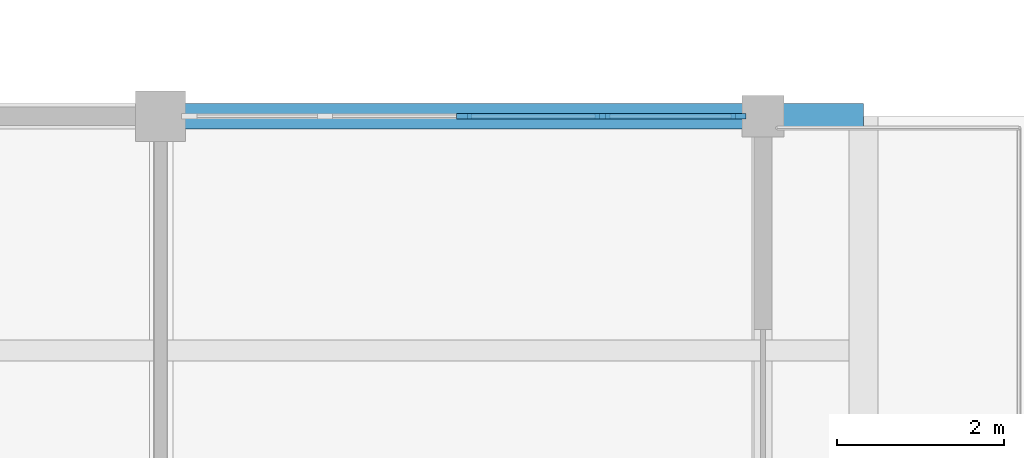
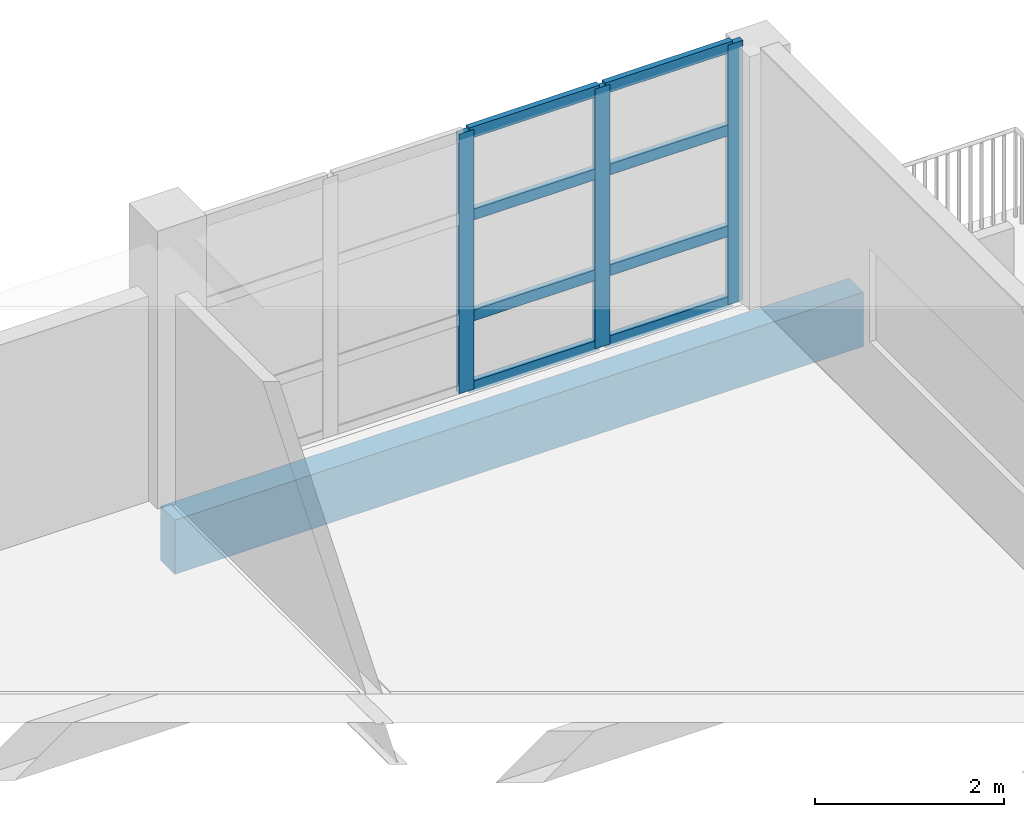
# One storey, part 14 of 33: 11 members, 1 beam, 1 element without a shape of its own.
"""IFC4 building model written with IfcOpenShell, lengths in metres."""

from ifc_helpers import new_model, si_unit, direction, frame, origin, origin_2d, place, context, subcontext, project, spatial, rectangle, extrude, material, material_profile, profile_set, type_object, element, aggregate, save


model = new_model("IFC4")

# Units and contexts
model_context = context("Model", 3, precision=1e-05, world=origin(), true_north=direction((0.0, 1.0)))
body_context = subcontext(model_context, "Body", "Model", "MODEL_VIEW")
ifc_project = project(units=[si_unit("LENGTHUNIT", "METRE"), si_unit("AREAUNIT", "SQUARE_METRE"), si_unit("VOLUMEUNIT", "CUBIC_METRE"), si_unit("PLANEANGLEUNIT", "RADIAN"), si_unit("MASSUNIT", "GRAM", prefix="KILO")], contexts=[model_context])

# Site, building, storey
site_placement = place(None, origin())
site = spatial("IfcSite", under=ifc_project, at=site_placement, CompositionType="ELEMENT")
building_placement = place(site_placement, origin())
building = spatial("IfcBuilding", under=site, at=building_placement, Name="Vanh Quang Courtyard School", CompositionType="ELEMENT")
storey_placement = place(building_placement, frame((0.0, 0.0, 18.60009765625)))
storey = spatial("IfcBuildingStorey", under=building, at=storey_placement, Name="L05", CompositionType="ELEMENT", Elevation=18.60009765625)

# Beam
ifc_material_1 = material(Name="Concrete C35/45", Category="concrete")
ifc_material_profile_1 = material_profile(ifc_material_1, rectangle(XDim=0.300048828125, YDim=0.699951171875, at=origin_2d()), Name="RC-SP 300x700")
ifc_profile_set_1 = profile_set([ifc_material_profile_1], Name="Concrete C35/45")
beam_type = type_object("IfcBeamType", Name="BM-SP-300x700", PredefinedType="SPANDREL", material=ifc_profile_set_1)
beam_placement = place(storey_placement, frame((102.60009765625, 96.60009765625, -0.670166015625), z_axis=(1.0, 0.0, 0.0), x_axis=(0.0, 1.0, 0.0)))
element("IfcBeam", 1, at=beam_placement, inside=storey, type_object=beam_type, Name="Beam BS-01 (L05)", PredefinedType="SPANDREL", context=body_context, shape_type="SweptSolid", body=[
    extrude(rectangle(XDim=0.300048828125, YDim=0.699951171875, at=origin_2d()), origin(), (0.0, 0.0, 1.0), 8.39990234375),
])

# Curtain wall, members
ifc_material_2 = material(Name="Thermally broken aluminium unitised curtain wall", Category="aluminium")
curtain_wall_type = type_object("IfcCurtainWallType", Name="CW-SYS-68", PredefinedType="NOTDEFINED", material=ifc_material_2)
curtain_wall_placement = place(storey_placement, origin())
curtain_wall = element("IfcCurtainWall", 2, at=curtain_wall_placement, inside=storey, type_object=curtain_wall_type, Name="Curtain Wall CW-68 (L05)", PredefinedType="NOTDEFINED")
ifc_material_3 = material(Name="Anodised aluminium 6063-T6", Category="aluminium")
ifc_material_profile_2 = material_profile(ifc_material_3, rectangle(XDim=0.070068359375, YDim=0.179931640625, at=origin_2d()), Name="ALU-MUL 70x180")
ifc_profile_set_2 = profile_set([ifc_material_profile_2], Name="Anodised aluminium 6063-T6")
member_type_1 = type_object("IfcMemberType", Name="CW-MUL-70x180", PredefinedType="MULLION", material=ifc_profile_set_2)
member_1_placement = place(storey_placement, frame((106.22509765625, 96.60009765625, 0.0), z_axis=(0.0, 0.0, 1.0), x_axis=(0.0, 1.0, 0.0)))
member_1 = element("IfcMember", 3, at=member_1_placement, type_object=member_type_1, Name="CW-68 mullion 3", PredefinedType="MULLION", context=body_context, shape_type="SweptSolid", body=[
    extrude(rectangle(XDim=0.070068359375, YDim=0.179931640625, at=origin_2d()), origin(), (0.0, 0.0, 1.0), 3.349853515625),
])
member_2_placement = place(storey_placement, frame((107.883544921875, 96.60009765625, 0.0), z_axis=(0.0, 0.0, 1.0), x_axis=(0.0, 1.0, 0.0)))
member_2 = element("IfcMember", 4, at=member_2_placement, type_object=member_type_1, Name="CW-68 mullion 4", PredefinedType="MULLION", context=body_context, shape_type="SweptSolid", body=[
    extrude(rectangle(XDim=0.070068359375, YDim=0.179931640625, at=origin_2d()), origin(), (0.0, 0.0, 1.0), 3.349853515625),
])
member_3_placement = place(storey_placement, frame((109.507080078125, 96.60009765625, 0.0), z_axis=(0.0, 0.0, 1.0), x_axis=(0.0, 1.0, 0.0)))
member_3 = element("IfcMember", 5, at=member_3_placement, type_object=member_type_1, Name="CW-68 mullion 5", PredefinedType="MULLION", context=body_context, shape_type="SweptSolid", body=[
    extrude(rectangle(XDim=0.070068359375, YDim=0.179931640625, at=origin_2d()), origin(), (0.0, 0.0, 1.0), 3.349853515625),
])
ifc_material_profile_3 = material_profile(ifc_material_3, rectangle(XDim=0.070068359375, YDim=0.139892578125, at=origin_2d()), Name="ALU-TRN 70x140")
ifc_profile_set_3 = profile_set([ifc_material_profile_3], Name="Anodised aluminium 6063-T6")
member_type_2 = type_object("IfcMemberType", Name="CW-TRN-70x140", PredefinedType="USERDEFINED", material=ifc_profile_set_3)
member_4_placement = place(storey_placement, frame((106.260009765625, 96.60009765625, 0.034912109375), z_axis=(1.0, 0.0, 0.0), x_axis=(0.0, 1.0, 0.0)))
member_4 = element("IfcMember", 6, at=member_4_placement, type_object=member_type_2, Name="CW-68 transom 3.1", ObjectType="TRANSOM", PredefinedType="USERDEFINED", context=body_context, shape_type="SweptSolid", body=[
    extrude(rectangle(XDim=0.070068359375, YDim=0.139892578125, at=origin_2d()), origin(), (0.0, 0.0, 1.0), 1.58837890625),
])
member_5_placement = place(storey_placement, frame((106.260009765625, 96.60009765625, 0.949951171875), z_axis=(1.0, 0.0, 0.0), x_axis=(0.0, 1.0, 0.0)))
member_5 = element("IfcMember", 7, at=member_5_placement, type_object=member_type_2, Name="CW-68 transom 3.2", ObjectType="TRANSOM", PredefinedType="USERDEFINED", context=body_context, shape_type="SweptSolid", body=[
    extrude(rectangle(XDim=0.070068359375, YDim=0.139892578125, at=origin_2d()), origin(), (0.0, 0.0, 1.0), 1.58837890625),
])
member_6_placement = place(storey_placement, frame((106.260009765625, 96.60009765625, 2.25), z_axis=(1.0, 0.0, 0.0), x_axis=(0.0, 1.0, 0.0)))
member_6 = element("IfcMember", 8, at=member_6_placement, type_object=member_type_2, Name="CW-68 transom 3.3", ObjectType="TRANSOM", PredefinedType="USERDEFINED", context=body_context, shape_type="SweptSolid", body=[
    extrude(rectangle(XDim=0.070068359375, YDim=0.139892578125, at=origin_2d()), origin(), (0.0, 0.0, 1.0), 1.58837890625),
])
member_7_placement = place(storey_placement, frame((106.260009765625, 96.60009765625, 3.31494140625), z_axis=(1.0, 0.0, 0.0), x_axis=(0.0, 1.0, 0.0)))
member_7 = element("IfcMember", 9, at=member_7_placement, type_object=member_type_2, Name="CW-68 transom 3.4", ObjectType="TRANSOM", PredefinedType="USERDEFINED", context=body_context, shape_type="SweptSolid", body=[
    extrude(rectangle(XDim=0.070068359375, YDim=0.139892578125, at=origin_2d()), origin(), (0.0, 0.0, 1.0), 1.58837890625),
])
member_8_placement = place(storey_placement, frame((107.91845703125, 96.60009765625, 0.034912109375), z_axis=(1.0, 0.0, 0.0), x_axis=(0.0, 1.0, 0.0)))
member_8 = element("IfcMember", 10, at=member_8_placement, type_object=member_type_2, Name="CW-68 transom 4.1", ObjectType="TRANSOM", PredefinedType="USERDEFINED", context=body_context, shape_type="SweptSolid", body=[
    extrude(rectangle(XDim=0.070068359375, YDim=0.139892578125, at=origin_2d()), origin(), (0.0, 0.0, 1.0), 1.553466796875),
])
member_9_placement = place(storey_placement, frame((107.91845703125, 96.60009765625, 0.949951171875), z_axis=(1.0, 0.0, 0.0), x_axis=(0.0, 1.0, 0.0)))
member_9 = element("IfcMember", 11, at=member_9_placement, type_object=member_type_2, Name="CW-68 transom 4.2", ObjectType="TRANSOM", PredefinedType="USERDEFINED", context=body_context, shape_type="SweptSolid", body=[
    extrude(rectangle(XDim=0.070068359375, YDim=0.139892578125, at=origin_2d()), origin(), (0.0, 0.0, 1.0), 1.553466796875),
])
member_10_placement = place(storey_placement, frame((107.91845703125, 96.60009765625, 2.25), z_axis=(1.0, 0.0, 0.0), x_axis=(0.0, 1.0, 0.0)))
member_10 = element("IfcMember", 12, at=member_10_placement, type_object=member_type_2, Name="CW-68 transom 4.3", ObjectType="TRANSOM", PredefinedType="USERDEFINED", context=body_context, shape_type="SweptSolid", body=[
    extrude(rectangle(XDim=0.070068359375, YDim=0.139892578125, at=origin_2d()), origin(), (0.0, 0.0, 1.0), 1.553466796875),
])
member_11_placement = place(storey_placement, frame((107.91845703125, 96.60009765625, 3.31494140625), z_axis=(1.0, 0.0, 0.0), x_axis=(0.0, 1.0, 0.0)))
member_11 = element("IfcMember", 13, at=member_11_placement, type_object=member_type_2, Name="CW-68 transom 4.4", ObjectType="TRANSOM", PredefinedType="USERDEFINED", context=body_context, shape_type="SweptSolid", body=[
    extrude(rectangle(XDim=0.070068359375, YDim=0.139892578125, at=origin_2d()), origin(), (0.0, 0.0, 1.0), 1.553466796875),
])
aggregate(curtain_wall, [member_1, member_2, member_3, member_4, member_5, member_6, member_7, member_8, member_9, member_10, member_11])

save(model, "model.ifc")
